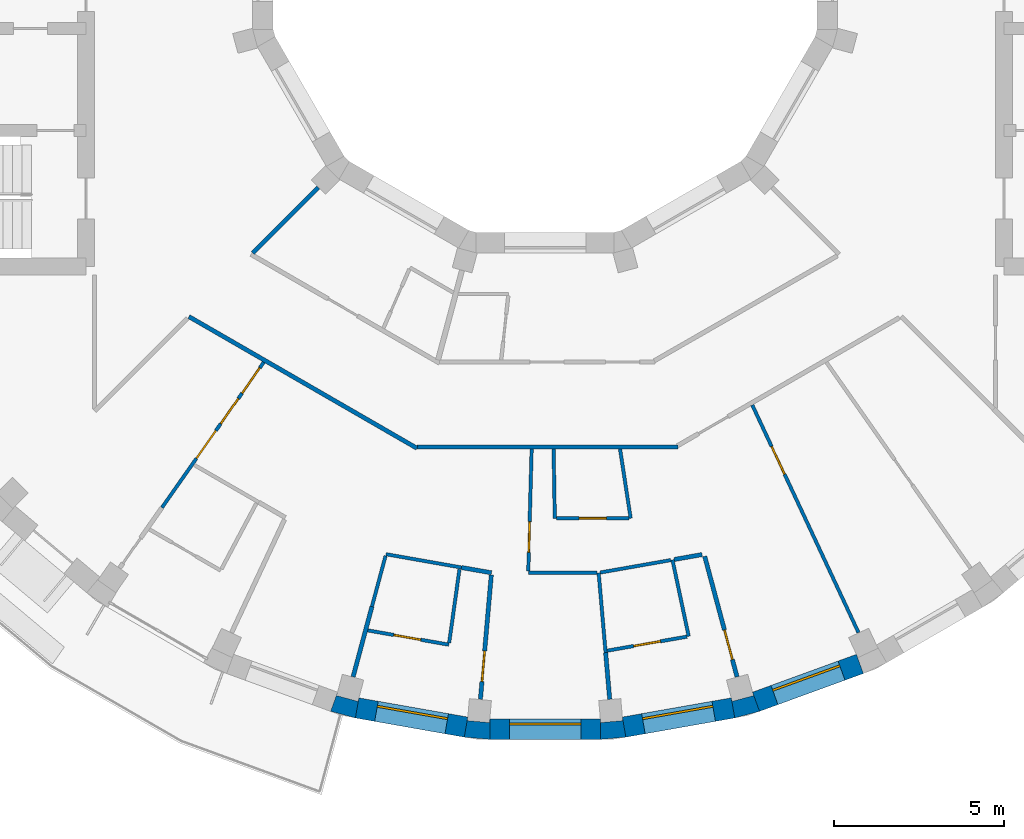
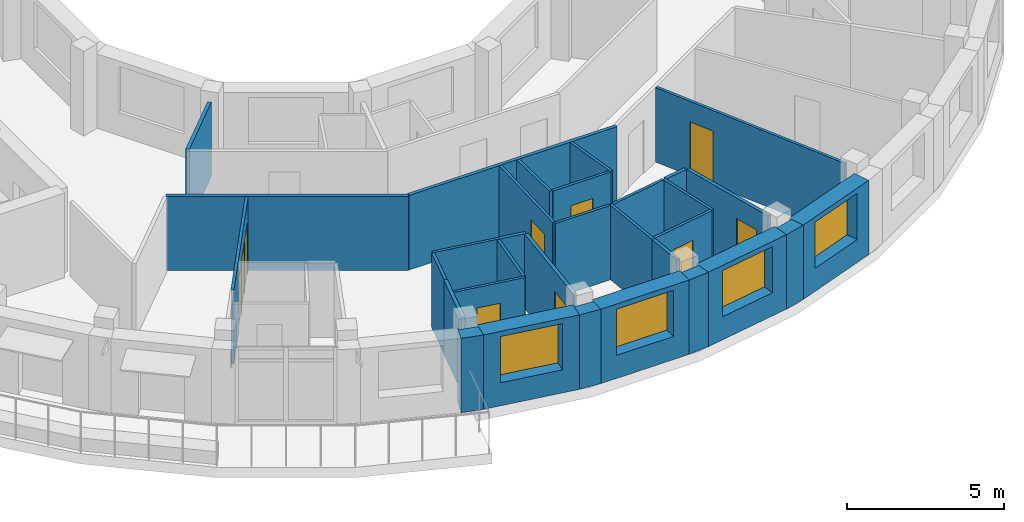
# One storey, part 4 of 12: 32 walls, 10 doors, 4 windows, 14 openings.
"""IFC4 building model written with IfcOpenShell, lengths in metres."""

from ifc_helpers import new_model, si_unit, direction, frame, frame_2d, origin, place, context, subcontext, project, spatial, polyline, rectangle, outline, extrude, material, layer, layer_set, type_object, element, fill, save


model = new_model("IFC4")

# Units and contexts
model_context = context("Model", 3, precision=1e-05, world=origin(), true_north=direction((0.0, 1.0)))
body_context = subcontext(model_context, "Body", "Model", "MODEL_VIEW")
ifc_project = project(units=[si_unit("LENGTHUNIT", "METRE"), si_unit("AREAUNIT", "SQUARE_METRE"), si_unit("VOLUMEUNIT", "CUBIC_METRE"), si_unit("PLANEANGLEUNIT", "RADIAN"), si_unit("MASSUNIT", "GRAM", prefix="KILO")], contexts=[model_context])

# Site, building, storey
site_placement = place(None, origin())
site = spatial("IfcSite", under=ifc_project, at=site_placement, CompositionType="ELEMENT")
building_placement = place(site_placement, origin())
building = spatial("IfcBuilding", under=site, at=building_placement, Name="Saqina Gate Tower", CompositionType="ELEMENT")
storey_placement = place(building_placement, frame((0.0, 0.0, 262.699951171875)))
storey = spatial("IfcBuildingStorey", under=building, at=storey_placement, Name="L75", CompositionType="ELEMENT", Elevation=262.699951171875)

# Walls
ifc_material_1 = material(Name="Brick masonry (buff)", Category="masonry")
wall_type_1 = type_object("IfcWallType", Name="BRICK PIER COPING BUFF", PredefinedType="SOLIDWALL", material=ifc_material_1)
wall_1_placement = place(storey_placement, origin())
element("IfcWall", 1, at=wall_1_placement, inside=storey, type_object=wall_type_1, Name="Pier cap L75 column 26", PredefinedType="SOLIDWALL", context=body_context, shape_type="SweptSolid", body=[
    extrude(outline(polyline([(-5.579833984375, -22.281982421875), (-5.4755859375, -21.691162109375), (-5.5029296875, -21.793212890625), (-6.130859375, -21.625), (-6.103515625, -21.52294921875), (-6.30859375, -22.0869140625), (-5.579833984375, -22.281982421875)])), origin(), (0.0, 0.0, 1.0), 2.900146484375),
])
wall_2_placement = place(storey_placement, origin())
element("IfcWall", 2, at=wall_2_placement, inside=storey, type_object=wall_type_1, Name="Pier cap L75 column 27", PredefinedType="SOLIDWALL", context=body_context, shape_type="SweptSolid", body=[
    extrude(outline(polyline([(-2.377685546875, -22.8466796875), (-1.625732421875, -22.91259765625), (-1.625732421875, -22.3125), (-1.635009765625, -22.417724609375), (-2.28271484375, -22.361083984375), (-2.2734375, -22.255859375), (-2.377685546875, -22.8466796875)])), origin(), (0.0, 0.0, 1.0), 2.900146484375),
])
wall_3_placement = place(storey_placement, origin())
element("IfcWall", 3, at=wall_3_placement, inside=storey, type_object=wall_type_1, Name="Pier cap L75 column 28", PredefinedType="SOLIDWALL", context=body_context, shape_type="SweptSolid", body=[
    extrude(outline(polyline([(1.625732421875, -22.91259765625), (2.377685546875, -22.8466796875), (2.2734375, -22.255859375), (2.28271484375, -22.361083984375), (1.635009765625, -22.417724609375), (1.625732421875, -22.3125), (1.625732421875, -22.91259765625)])), origin(), (0.0, 0.0, 1.0), 2.900146484375),
])
wall_4_placement = place(storey_placement, origin())
element("IfcWall", 4, at=wall_4_placement, inside=storey, type_object=wall_type_1, Name="Pier cap L75 column 29", PredefinedType="SOLIDWALL", context=body_context, shape_type="SweptSolid", body=[
    extrude(outline(polyline([(6.30859375, -22.0869140625), (6.103515625, -21.52294921875), (6.130859375, -21.625), (5.5029296875, -21.793212890625), (5.4755859375, -21.691162109375), (5.579833984375, -22.281982421875), (6.30859375, -22.0869140625)])), origin(), (0.0, 0.0, 1.0), 2.900146484375),
])

# Wall, opening, window
ifc_material_2 = material(Name="Brick masonry (buff)", Category="masonry")
ifc_layer_1 = layer(ifc_material_2, 0.60009765625)
ifc_layer_set_1 = layer_set([ifc_layer_1], Name="FW-BRICK-BUFF")
wall_type_2 = type_object("IfcWallType", Name="FW-BRICK-BUFF", PredefinedType="SOLIDWALL", material=ifc_layer_set_1)
wall_5_placement = place(storey_placement, frame((-5.52783203125, -21.986572265625, 0.0), z_axis=(0.0, 0.0, 1.0), x_axis=(0.984806225186, -0.173656842178, 0.0)))
wall_5 = element("IfcWall", 5, at=wall_5_placement, inside=storey, type_object=wall_type_2, Name="Facade wall L75 facet 26", PredefinedType="SOLIDWALL", context=body_context, shape_type="SweptSolid", body=[
    extrude(rectangle(XDim=3.251708984375, YDim=0.60009765625, at=frame_2d((1.6259765625, 0.0))), origin(), (0.0, 0.0, 1.0), 2.900146484375),
])
opening_1_placement = place(wall_5_placement, frame((0.57568359375, 0.0, 0.89990234375)))
opening_1 = element("IfcOpeningElement", 6, at=opening_1_placement, cuts=wall_5, Name="Opening G22-W15", PredefinedType="OPENING", context=body_context, shape_type="SweptSolid", body=[
    extrude(rectangle(XDim=2.10009765625, YDim=1.800048828125, at=frame_2d((1.050048828125, 0.89990234375))), frame((0.0, 0.31201171875, 0.0), z_axis=(0.0, -1.0, 0.0), x_axis=(1.0, 0.0, 0.0)), (0.0, 0.0, 1.0), 0.6240234375),
])
ifc_material_3 = material(Name="Aluminium glazing", Category="aluminium")
window_type = type_object("IfcWindowType", Name="WN-D", PartitioningType="SINGLE_PANEL", PredefinedType="WINDOW", material=ifc_material_3)
window_1_placement = place(opening_1_placement, origin())
window_1 = element("IfcWindow", 7, at=window_1_placement, inside=storey, type_object=window_type, Name="Window L75 facet 26", OverallHeight=1.800048828125, OverallWidth=2.10009765625, PartitioningType="SINGLE_PANEL", PredefinedType="WINDOW", context=body_context, shape_type="SweptSolid", body=[
    extrude(rectangle(XDim=2.10009765625, YDim=1.800048828125, at=frame_2d((1.050048828125, 0.89990234375))), frame((0.0, 0.179931640625, 0.0), z_axis=(0.0, -1.0, 0.0), x_axis=(1.0, 0.0, 0.0)), (0.0, 0.0, 1.0), 0.06005859375),
])
fill(opening_1, window_1)

wall_6_placement = place(storey_placement, frame((-1.625732421875, -22.612548828125, 0.0), z_axis=(0.0, 0.0, 1.0), x_axis=(1.0, 0.0, 0.0)))
wall_6 = element("IfcWall", 8, at=wall_6_placement, inside=storey, type_object=wall_type_2, Name="Facade wall L75 facet 27", PredefinedType="SOLIDWALL", context=body_context, shape_type="SweptSolid", body=[
    extrude(rectangle(XDim=3.25146484375, YDim=0.60009765625, at=frame_2d((1.625732421875, 0.0))), origin(), (0.0, 0.0, 1.0), 2.900146484375),
])
opening_2_placement = place(wall_6_placement, frame((0.57568359375, 0.0, 0.89990234375)))
opening_2 = element("IfcOpeningElement", 9, at=opening_2_placement, cuts=wall_6, Name="Opening G22-W16", PredefinedType="OPENING", context=body_context, shape_type="SweptSolid", body=[
    extrude(rectangle(XDim=2.10009765625, YDim=1.800048828125, at=frame_2d((1.050048828125, 0.89990234375))), frame((0.0, 0.31201171875, 0.0), z_axis=(0.0, -1.0, 0.0), x_axis=(1.0, 0.0, 0.0)), (0.0, 0.0, 1.0), 0.6240234375),
])
window_2_placement = place(opening_2_placement, origin())
window_2 = element("IfcWindow", 10, at=window_2_placement, inside=storey, type_object=window_type, Name="Window L75 facet 27", OverallHeight=1.800048828125, OverallWidth=2.10009765625, PartitioningType="SINGLE_PANEL", PredefinedType="WINDOW", context=body_context, shape_type="SweptSolid", body=[
    extrude(rectangle(XDim=2.10009765625, YDim=1.800048828125, at=frame_2d((1.050048828125, 0.89990234375))), frame((0.0, 0.179931640625, 0.0), z_axis=(0.0, -1.0, 0.0), x_axis=(1.0, 0.0, 0.0)), (0.0, 0.0, 1.0), 0.06005859375),
])
fill(opening_2, window_2)

wall_7_placement = place(storey_placement, frame((2.325439453125, -22.55126953125, 0.0), z_axis=(0.0, 0.0, 1.0), x_axis=(0.984806225186, 0.173656842178, 0.0)))
wall_7 = element("IfcWall", 11, at=wall_7_placement, inside=storey, type_object=wall_type_2, Name="Facade wall L75 facet 28", PredefinedType="SOLIDWALL", context=body_context, shape_type="SweptSolid", body=[
    extrude(rectangle(XDim=3.251708984375, YDim=0.60009765625, at=frame_2d((1.6259765625, 0.0))), origin(), (0.0, 0.0, 1.0), 2.900146484375),
])
opening_3_placement = place(wall_7_placement, frame((0.57568359375, 0.0, 0.89990234375)))
opening_3 = element("IfcOpeningElement", 12, at=opening_3_placement, cuts=wall_7, Name="Opening G22-W17", PredefinedType="OPENING", context=body_context, shape_type="SweptSolid", body=[
    extrude(rectangle(XDim=2.10009765625, YDim=1.800048828125, at=frame_2d((1.050048828125, 0.89990234375))), frame((0.0, 0.31201171875, 0.0), z_axis=(0.0, -1.0, 0.0), x_axis=(1.0, 0.0, 0.0)), (0.0, 0.0, 1.0), 0.6240234375),
])
window_3_placement = place(opening_3_placement, origin())
window_3 = element("IfcWindow", 13, at=window_3_placement, inside=storey, type_object=window_type, Name="Window L75 facet 28", OverallHeight=1.800048828125, OverallWidth=2.10009765625, PartitioningType="SINGLE_PANEL", PredefinedType="WINDOW", context=body_context, shape_type="SweptSolid", body=[
    extrude(rectangle(XDim=2.10009765625, YDim=1.800048828125, at=frame_2d((1.050048828125, 0.89990234375))), frame((0.0, 0.179931640625, 0.0), z_axis=(0.0, -1.0, 0.0), x_axis=(1.0, 0.0, 0.0)), (0.0, 0.0, 1.0), 0.06005859375),
])
fill(opening_3, window_3)

wall_8_placement = place(storey_placement, frame((6.2060546875, -21.804931640625, 0.0), z_axis=(0.0, 0.0, 1.0), x_axis=(0.939679383794, 0.342056509473, 0.0)))
wall_8 = element("IfcWall", 14, at=wall_8_placement, inside=storey, type_object=wall_type_2, Name="Facade wall L75 facet 29", PredefinedType="SOLIDWALL", context=body_context, shape_type="SweptSolid", body=[
    extrude(rectangle(XDim=3.251708984375, YDim=0.60009765625, at=frame_2d((1.6259765625, 0.0))), origin(), (0.0, 0.0, 1.0), 2.900146484375),
])
opening_4_placement = place(wall_8_placement, frame((0.57568359375, 0.0, 0.89990234375)))
opening_4 = element("IfcOpeningElement", 15, at=opening_4_placement, cuts=wall_8, Name="Opening G22-W18", PredefinedType="OPENING", context=body_context, shape_type="SweptSolid", body=[
    extrude(rectangle(XDim=2.10009765625, YDim=1.800048828125, at=frame_2d((1.050048828125, 0.89990234375))), frame((0.0, 0.31201171875, 0.0), z_axis=(0.0, -1.0, 0.0), x_axis=(1.0, 0.0, 0.0)), (0.0, 0.0, 1.0), 0.6240234375),
])
window_4_placement = place(opening_4_placement, origin())
window_4 = element("IfcWindow", 16, at=window_4_placement, inside=storey, type_object=window_type, Name="Window L75 facet 29", OverallHeight=1.800048828125, OverallWidth=2.10009765625, PartitioningType="SINGLE_PANEL", PredefinedType="WINDOW", context=body_context, shape_type="SweptSolid", body=[
    extrude(rectangle(XDim=2.10009765625, YDim=1.800048828125, at=frame_2d((1.050048828125, 0.89990234375))), frame((0.0, 0.179931640625, 0.0), z_axis=(0.0, -1.0, 0.0), x_axis=(1.0, 0.0, 0.0)), (0.0, 0.0, 1.0), 0.06005859375),
])
fill(opening_4, window_4)

# Walls
ifc_material_4 = material(Name="Gypsum board on steel studs, 100 mm", Category="steel")
ifc_layer_2 = layer(ifc_material_4, 0.10009765625)
ifc_layer_set_2 = layer_set([ifc_layer_2], Name="PARTITION 100")
wall_type_3 = type_object("IfcWallType", Name="PARTITION 100", PredefinedType="PARTITIONING", material=ifc_layer_set_2)
wall_9_placement = place(storey_placement, frame((0.2509765625, -14.37255859375, 0.0), z_axis=(0.0, 0.0, 1.0), x_axis=(0.017133494207, -0.999853210915, 0.0)))
element("IfcWall", 17, at=wall_9_placement, inside=storey, type_object=wall_type_3, Name="PARTITION PW3-01", PredefinedType="PARTITIONING", context=body_context, shape_type="SweptSolid", body=[
    extrude(rectangle(XDim=2.03759765625, YDim=0.10009765625, at=frame_2d((1.018798828125, 0.0))), origin(), (0.0, 0.0, 1.0), 2.900146484375),
])
wall_10_placement = place(storey_placement, frame((1.575927734375, -18.011962890625, 0.0), z_axis=(0.0, 0.0, 1.0), x_axis=(0.087044975162, -0.996204382795, 0.0)))
element("IfcWall", 18, at=wall_10_placement, inside=storey, type_object=wall_type_3, Name="PARTITION PW3-02", PredefinedType="PARTITIONING", context=body_context, shape_type="SweptSolid", body=[
    extrude(rectangle(XDim=2.35888671875, YDim=0.10009765625, at=frame_2d((1.179443359375, 0.0))), origin(), (0.0, 0.0, 1.0), 2.900146484375),
])
wall_11_placement = place(storey_placement, frame((2.20556640625, -14.371826171875, 0.0), z_axis=(0.0, 0.0, 1.0), x_axis=(0.151514148926, -0.988455088851, 0.0)))
element("IfcWall", 19, at=wall_11_placement, inside=storey, type_object=wall_type_3, Name="PARTITION PW3-04", PredefinedType="PARTITIONING", context=body_context, shape_type="SweptSolid", body=[
    extrude(rectangle(XDim=2.060791015625, YDim=0.10009765625, at=frame_2d((1.0302734375, 0.0))), origin(), (0.0, 0.0, 1.0), 2.900146484375),
])
wall_12_placement = place(storey_placement, frame((3.7470703125, -17.6298828125, 0.0), z_axis=(0.0, 0.0, 1.0), x_axis=(0.207710310325, -0.978190383813, 0.0)))
element("IfcWall", 20, at=wall_12_placement, inside=storey, type_object=wall_type_3, Name="PARTITION PW3-05", PredefinedType="PARTITIONING", context=body_context, shape_type="SweptSolid", body=[
    extrude(rectangle(XDim=2.301513671875, YDim=0.10009765625, at=frame_2d((1.15087890625, 0.0))), origin(), (0.0, 0.0, 1.0), 2.900146484375),
])

# Wall, opening, door
wall_13_placement = place(storey_placement, frame((6.094970703125, -13.07666015625, 0.0), z_axis=(0.0, 0.0, 1.0), x_axis=(0.422939739386, -0.906157810124, 0.0)))
wall_13 = element("IfcWall", 21, at=wall_13_placement, inside=storey, type_object=wall_type_3, Name="PARTITION PW3-10", PredefinedType="PARTITIONING", context=body_context, shape_type="SweptSolid", body=[
    extrude(rectangle(XDim=7.3876953125, YDim=0.10009765625, at=frame_2d((3.69384765625, 0.0))), origin(), (0.0, 0.0, 1.0), 2.900146484375),
])
opening_5_placement = place(wall_13_placement, frame((1.344970703125, 0.0, 0.0)))
opening_5 = element("IfcOpeningElement", 22, at=opening_5_placement, cuts=wall_13, Name="Opening G22-D41", PredefinedType="OPENING", context=body_context, shape_type="SweptSolid", body=[
    extrude(rectangle(XDim=0.89990234375, YDim=2.10009765625, at=frame_2d((0.449951171875, 1.050048828125))), frame((0.0, 0.06201171875, 0.0), z_axis=(0.0, -1.0, 0.0), x_axis=(1.0, 0.0, 0.0)), (0.0, 0.0, 1.0), 0.1240234375),
])
ifc_material_5 = material(Name="Timber door leaf, 900 mm", Category="wood")
door_type_1 = type_object("IfcDoorType", Name="DOOR 900 TIMBER", OperationType="SINGLE_SWING_LEFT", PredefinedType="DOOR", material=ifc_material_5)
door_1_placement = place(opening_5_placement, frame((0.89990234375, 0.0, 0.0), z_axis=(0.0, 0.0, 1.0), x_axis=(-1.0, 0.0, 0.0)))
door_1 = element("IfcDoor", 23, at=door_1_placement, inside=storey, type_object=door_type_1, Name="DOOR G22-D41", OperationType="SINGLE_SWING_RIGHT", OverallHeight=2.10009765625, OverallWidth=0.89990234375, PredefinedType="DOOR", context=body_context, shape_type="SweptSolid", body=[
    extrude(rectangle(XDim=0.89990234375, YDim=2.10009765625, at=frame_2d((0.449951171875, 1.050048828125))), frame((0.0, 0.02490234375, 0.0), z_axis=(0.0, -1.0, 0.0), x_axis=(1.0, 0.0, 0.0)), (0.0, 0.0, 1.0), 0.050048828125),
])
fill(opening_5, door_1)

wall_14_placement = place(storey_placement, frame((-5.21533203125, -19.705810546875, 0.0), z_axis=(0.0, 0.0, 1.0), x_axis=(0.984780515727, -0.173802577208, 0.0)))
wall_14 = element("IfcWall", 24, at=wall_14_placement, inside=storey, type_object=wall_type_3, Name="PARTITION PW3-23", PredefinedType="PARTITIONING", context=body_context, shape_type="SweptSolid", body=[
    extrude(rectangle(XDim=2.423095703125, YDim=0.10009765625, at=frame_2d((1.21142578125, 0.0))), origin(), (0.0, 0.0, 1.0), 2.900146484375),
])
opening_6_placement = place(wall_14_placement, frame((0.780517578125, 0.0, 0.0)))
opening_6 = element("IfcOpeningElement", 25, at=opening_6_placement, cuts=wall_14, Name="Opening G22-D31", PredefinedType="OPENING", context=body_context, shape_type="SweptSolid", body=[
    extrude(rectangle(XDim=0.800048828125, YDim=2.10009765625, at=frame_2d((0.39990234375, 1.050048828125))), frame((0.0, 0.06201171875, 0.0), z_axis=(0.0, -1.0, 0.0), x_axis=(1.0, 0.0, 0.0)), (0.0, 0.0, 1.0), 0.1240234375),
])
ifc_material_6 = material(Name="Timber door leaf, 800 mm", Category="wood")
door_type_2 = type_object("IfcDoorType", Name="DOOR 800 TIMBER", OperationType="SINGLE_SWING_LEFT", PredefinedType="DOOR", material=ifc_material_6)
door_2_placement = place(opening_6_placement, frame((0.800048828125, 0.0, 0.0), z_axis=(0.0, 0.0, 1.0), x_axis=(-1.0, 0.0, 0.0)))
door_2 = element("IfcDoor", 26, at=door_2_placement, inside=storey, type_object=door_type_2, Name="DOOR G22-D31", OperationType="SINGLE_SWING_RIGHT", OverallHeight=2.10009765625, OverallWidth=0.800048828125, PredefinedType="DOOR", context=body_context, shape_type="SweptSolid", body=[
    extrude(rectangle(XDim=0.800048828125, YDim=2.10009765625, at=frame_2d((0.39990234375, 1.050048828125))), frame((0.0, 0.02490234375, 0.0), z_axis=(0.0, -1.0, 0.0), x_axis=(1.0, 0.0, 0.0)), (0.0, 0.0, 1.0), 0.050048828125),
])
fill(opening_6, door_2)

# Walls
wall_15_placement = place(storey_placement, frame((-4.678955078125, -17.465087890625, 0.0), z_axis=(0.0, 0.0, 1.0), x_axis=(0.984785740028, -0.173772973268, 0.0)))
element("IfcWall", 27, at=wall_15_placement, inside=storey, type_object=wall_type_3, Name="PARTITION PW3-24", PredefinedType="PARTITIONING", context=body_context, shape_type="SweptSolid", body=[
    extrude(rectangle(XDim=2.25341796875, YDim=0.10009765625, at=frame_2d((1.126708984375, 0.0))), origin(), (0.0, 0.0, 1.0), 2.900146484375),
])
wall_16_placement = place(storey_placement, frame((-0.492919921875, -18.011962890625, 0.0), z_axis=(0.0, 0.0, 1.0), x_axis=(1.0, 0.0, 0.0)))
element("IfcWall", 28, at=wall_16_placement, inside=storey, type_object=wall_type_3, Name="PARTITION PW3-26", PredefinedType="PARTITIONING", context=body_context, shape_type="SweptSolid", body=[
    extrude(rectangle(XDim=2.017822265625, YDim=0.10009765625, at=frame_2d((1.0087890625, 0.0))), origin(), (0.0, 0.0, 1.0), 2.900146484375),
])

# Wall, opening, door
wall_17_placement = place(storey_placement, frame((0.337890625, -16.409912109375, 0.0), z_axis=(0.0, 0.0, 1.0), x_axis=(1.0, 0.0, 0.0)))
wall_17 = element("IfcWall", 29, at=wall_17_placement, inside=storey, type_object=wall_type_3, Name="PARTITION PW3-27", PredefinedType="PARTITIONING", context=body_context, shape_type="SweptSolid", body=[
    extrude(rectangle(XDim=2.128173828125, YDim=0.10009765625, at=frame_2d((1.06396484375, 0.0))), origin(), (0.0, 0.0, 1.0), 2.900146484375),
])
opening_7_placement = place(wall_17_placement, frame((0.6640625, 0.0, 0.0)))
opening_7 = element("IfcOpeningElement", 30, at=opening_7_placement, cuts=wall_17, Name="Opening G22-D36", PredefinedType="OPENING", context=body_context, shape_type="SweptSolid", body=[
    extrude(rectangle(XDim=0.800048828125, YDim=2.10009765625, at=frame_2d((0.39990234375, 1.050048828125))), frame((0.0, 0.06201171875, 0.0), z_axis=(0.0, -1.0, 0.0), x_axis=(1.0, 0.0, 0.0)), (0.0, 0.0, 1.0), 0.1240234375),
])
door_3_placement = place(opening_7_placement, frame((0.800048828125, 0.0, 0.0), z_axis=(0.0, 0.0, 1.0), x_axis=(-1.0, 0.0, 0.0)))
door_3 = element("IfcDoor", 31, at=door_3_placement, inside=storey, type_object=door_type_2, Name="DOOR G22-D36", OperationType="SINGLE_SWING_RIGHT", OverallHeight=2.10009765625, OverallWidth=0.800048828125, PredefinedType="DOOR", context=body_context, shape_type="SweptSolid", body=[
    extrude(rectangle(XDim=0.800048828125, YDim=2.10009765625, at=frame_2d((0.39990234375, 1.050048828125))), frame((0.0, 0.02490234375, 0.0), z_axis=(0.0, -1.0, 0.0), x_axis=(1.0, 0.0, 0.0)), (0.0, 0.0, 1.0), 0.050048828125),
])
fill(opening_7, door_3)

wall_18_placement = place(storey_placement, frame((1.826416015625, -20.30322265625, 0.0), z_axis=(0.0, 0.0, 1.0), x_axis=(0.984856623516, 0.173370790838, 0.0)))
wall_18 = element("IfcWall", 32, at=wall_18_placement, inside=storey, type_object=wall_type_3, Name="PARTITION PW3-31", PredefinedType="PARTITIONING", context=body_context, shape_type="SweptSolid", body=[
    extrude(rectangle(XDim=2.385498046875, YDim=0.10009765625, at=frame_2d((1.19287109375, 0.0))), origin(), (0.0, 0.0, 1.0), 2.900146484375),
])
opening_8_placement = place(wall_18_placement, frame((0.792724609375, 0.0, 0.0)))
opening_8 = element("IfcOpeningElement", 33, at=opening_8_placement, cuts=wall_18, Name="Opening G22-D37", PredefinedType="OPENING", context=body_context, shape_type="SweptSolid", body=[
    extrude(rectangle(XDim=0.800048828125, YDim=2.10009765625, at=frame_2d((0.39990234375, 1.050048828125))), frame((0.0, 0.06201171875, 0.0), z_axis=(0.0, -1.0, 0.0), x_axis=(1.0, 0.0, 0.0)), (0.0, 0.0, 1.0), 0.1240234375),
])
door_4_placement = place(opening_8_placement, frame((0.800048828125, 0.0, 0.0), z_axis=(0.0, 0.0, 1.0), x_axis=(-1.0, 0.0, 0.0)))
door_4 = element("IfcDoor", 34, at=door_4_placement, inside=storey, type_object=door_type_2, Name="DOOR G22-D37", OperationType="SINGLE_SWING_LEFT", OverallHeight=2.10009765625, OverallWidth=0.800048828125, PredefinedType="DOOR", context=body_context, shape_type="SweptSolid", body=[
    extrude(rectangle(XDim=0.800048828125, YDim=2.10009765625, at=frame_2d((0.39990234375, 1.050048828125))), frame((0.0, 0.02490234375, 0.0), z_axis=(0.0, -1.0, 0.0), x_axis=(1.0, 0.0, 0.0)), (0.0, 0.0, 1.0), 0.050048828125),
])
fill(opening_8, door_4)

# Wall
wall_19_placement = place(storey_placement, frame((1.625244140625, -18.00341796875, 0.0), z_axis=(0.0, 0.0, 1.0), x_axis=(0.984864041574, 0.173328646261, 0.0)))
element("IfcWall", 35, at=wall_19_placement, inside=storey, type_object=wall_type_3, Name="PARTITION PW3-32", PredefinedType="PARTITIONING", context=body_context, shape_type="SweptSolid", body=[
    extrude(rectangle(XDim=2.104248046875, YDim=0.10009765625, at=frame_2d((1.05224609375, 0.0))), origin(), (0.0, 0.0, 1.0), 2.900146484375),
])

# Wall, openings, doors
wall_20_placement = place(storey_placement, frame((-11.26904296875, -16.09423828125, 0.0), z_axis=(0.0, 0.0, 1.0), x_axis=(0.573597334784, 0.819137410651, 0.0)))
wall_20 = element("IfcWall", 36, at=wall_20_placement, inside=storey, type_object=wall_type_3, Name="PARTITION PW3-39", PredefinedType="PARTITIONING", context=body_context, shape_type="SweptSolid", body=[
    extrude(rectangle(XDim=5.218994140625, YDim=0.10009765625, at=frame_2d((2.609375, 0.0))), origin(), (0.0, 0.0, 1.0), 2.900146484375),
])
opening_9_placement = place(wall_20_placement, frame((4.1142578125, 0.0, 0.0)))
opening_9 = element("IfcOpeningElement", 37, at=opening_9_placement, cuts=wall_20, Name="Opening G22-D24", PredefinedType="OPENING", context=body_context, shape_type="SweptSolid", body=[
    extrude(rectangle(XDim=0.89990234375, YDim=2.10009765625, at=frame_2d((0.449951171875, 1.050048828125))), frame((0.0, 0.06201171875, 0.0), z_axis=(0.0, -1.0, 0.0), x_axis=(1.0, 0.0, 0.0)), (0.0, 0.0, 1.0), 0.1240234375),
])
opening_10_placement = place(wall_20_placement, frame((3.01416015625, 0.0, 0.0)))
opening_10 = element("IfcOpeningElement", 38, at=opening_10_placement, cuts=wall_20, Name="Opening G22-D25", PredefinedType="OPENING", context=body_context, shape_type="SweptSolid", body=[
    extrude(rectangle(XDim=0.89990234375, YDim=2.10009765625, at=frame_2d((0.449951171875, 1.050048828125))), frame((0.0, 0.06201171875, 0.0), z_axis=(0.0, -1.0, 0.0), x_axis=(1.0, 0.0, 0.0)), (0.0, 0.0, 1.0), 0.1240234375),
])
opening_11_placement = place(wall_20_placement, frame((1.76416015625, 0.0, 0.0)))
opening_11 = element("IfcOpeningElement", 39, at=opening_11_placement, cuts=wall_20, Name="Opening G22-D26", PredefinedType="OPENING", context=body_context, shape_type="SweptSolid", body=[
    extrude(rectangle(XDim=1.0, YDim=2.10009765625, at=frame_2d((0.5, 1.050048828125))), frame((0.0, 0.06201171875, 0.0), z_axis=(0.0, -1.0, 0.0), x_axis=(1.0, 0.0, 0.0)), (0.0, 0.0, 1.0), 0.1240234375),
])
ifc_material_7 = material(Name="Timber door leaf, 1000 mm", Category="wood")
door_type_3 = type_object("IfcDoorType", Name="DOOR 1000 TIMBER", OperationType="SINGLE_SWING_LEFT", PredefinedType="DOOR", material=ifc_material_7)
door_5_placement = place(opening_11_placement, frame((1.0, 0.0, 0.0), z_axis=(0.0, 0.0, 1.0), x_axis=(-1.0, 0.0, 0.0)))
door_5 = element("IfcDoor", 40, at=door_5_placement, inside=storey, type_object=door_type_3, Name="DOOR G22-D26", OperationType="SINGLE_SWING_RIGHT", OverallHeight=2.10009765625, OverallWidth=1.0, PredefinedType="DOOR", context=body_context, shape_type="SweptSolid", body=[
    extrude(rectangle(XDim=1.0, YDim=2.10009765625, at=frame_2d((0.5, 1.050048828125))), frame((0.0, 0.02490234375, 0.0), z_axis=(0.0, -1.0, 0.0), x_axis=(1.0, 0.0, 0.0)), (0.0, 0.0, 1.0), 0.050048828125),
])
fill(opening_11, door_5)
door_6_placement = place(opening_9_placement, frame((0.89990234375, 0.0, 0.0), z_axis=(0.0, 0.0, 1.0), x_axis=(-1.0, 0.0, 0.0)))
door_6 = element("IfcDoor", 41, at=door_6_placement, inside=storey, type_object=door_type_1, Name="DOOR G22-D24", OperationType="SINGLE_SWING_LEFT", OverallHeight=2.10009765625, OverallWidth=0.89990234375, PredefinedType="DOOR", context=body_context, shape_type="SweptSolid", body=[
    extrude(rectangle(XDim=0.89990234375, YDim=2.10009765625, at=frame_2d((0.449951171875, 1.050048828125))), frame((0.0, 0.02490234375, 0.0), z_axis=(0.0, -1.0, 0.0), x_axis=(1.0, 0.0, 0.0)), (0.0, 0.0, 1.0), 0.050048828125),
])
fill(opening_9, door_6)
door_7_placement = place(opening_10_placement, frame((0.89990234375, 0.0, 0.0), z_axis=(0.0, 0.0, 1.0), x_axis=(-1.0, 0.0, 0.0)))
door_7 = element("IfcDoor", 42, at=door_7_placement, inside=storey, type_object=door_type_1, Name="DOOR G22-D25", OperationType="SINGLE_SWING_LEFT", OverallHeight=2.10009765625, OverallWidth=0.89990234375, PredefinedType="DOOR", context=body_context, shape_type="SweptSolid", body=[
    extrude(rectangle(XDim=0.89990234375, YDim=2.10009765625, at=frame_2d((0.449951171875, 1.050048828125))), frame((0.0, 0.02490234375, 0.0), z_axis=(0.0, -1.0, 0.0), x_axis=(1.0, 0.0, 0.0)), (0.0, 0.0, 1.0), 0.050048828125),
])
fill(opening_10, door_7)

# Walls
wall_21_placement = place(storey_placement, frame((-5.093017578125, -19.00732421875, 0.0), z_axis=(0.0, 0.0, 1.0), x_axis=(0.259175252444, 0.965830310417, 0.0)))
element("IfcWall", 43, at=wall_21_placement, inside=storey, type_object=wall_type_3, Name="PARTITION PW3-49", PredefinedType="PARTITIONING", context=body_context, shape_type="SweptSolid", body=[
    extrude(rectangle(XDim=1.546630859375, YDim=0.10009765625, at=frame_2d((0.7734375, 0.0))), origin(), (0.0, 0.0, 1.0), 2.900146484375),
])
wall_22_placement = place(storey_placement, frame((-2.822021484375, -20.077392578125, 0.0), z_axis=(0.0, 0.0, 1.0), x_axis=(0.139000144369, 0.990292360803, 0.0)))
element("IfcWall", 44, at=wall_22_placement, inside=storey, type_object=wall_type_3, Name="PARTITION PW3-51", PredefinedType="PARTITIONING", context=body_context, shape_type="SweptSolid", body=[
    extrude(rectangle(XDim=2.1884765625, YDim=0.10009765625, at=frame_2d((1.09423828125, 0.0))), origin(), (0.0, 0.0, 1.0), 2.900146484375),
])

# Wall, opening, door
wall_23_placement = place(storey_placement, frame((-0.49365234375, -17.9609375, 0.0), z_axis=(0.0, 0.0, 1.0), x_axis=(0.027544314619, 0.999620583388, 0.0)))
wall_23 = element("IfcWall", 45, at=wall_23_placement, inside=storey, type_object=wall_type_3, Name="PARTITION PW3-54", PredefinedType="PARTITIONING", context=body_context, shape_type="SweptSolid", body=[
    extrude(rectangle(XDim=3.58984375, YDim=0.10009765625, at=frame_2d((1.794921875, 0.0))), origin(), (0.0, 0.0, 1.0), 2.900146484375),
])
opening_12_placement = place(wall_23_placement, frame((0.55126953125, 0.0, 0.0)))
opening_12 = element("IfcOpeningElement", 46, at=opening_12_placement, cuts=wall_23, Name="Opening G22-D34", PredefinedType="OPENING", context=body_context, shape_type="SweptSolid", body=[
    extrude(rectangle(XDim=0.89990234375, YDim=2.10009765625, at=frame_2d((0.449951171875, 1.050048828125))), frame((0.0, 0.06201171875, 0.0), z_axis=(0.0, -1.0, 0.0), x_axis=(1.0, 0.0, 0.0)), (0.0, 0.0, 1.0), 0.1240234375),
])
door_8_placement = place(opening_12_placement, origin())
door_8 = element("IfcDoor", 47, at=door_8_placement, inside=storey, type_object=door_type_1, Name="DOOR G22-D34", OperationType="SINGLE_SWING_LEFT", OverallHeight=2.10009765625, OverallWidth=0.89990234375, PredefinedType="DOOR", context=body_context, shape_type="SweptSolid", body=[
    extrude(rectangle(XDim=0.89990234375, YDim=2.10009765625, at=frame_2d((0.449951171875, 1.050048828125))), frame((0.0, 0.02490234375, 0.0), z_axis=(0.0, -1.0, 0.0), x_axis=(1.0, 0.0, 0.0)), (0.0, 0.0, 1.0), 0.050048828125),
])
fill(opening_12, door_8)

# Wall
ifc_material_8 = material(Name="Gypsum board on steel studs, 125 mm, fire rated", Category="steel")
ifc_layer_3 = layer(ifc_material_8, 0.125)
ifc_layer_set_3 = layer_set([ifc_layer_3], Name="PARTITION EI 30 125")
wall_type_4 = type_object("IfcWallType", Name="PARTITION EI 30 125", PredefinedType="PARTITIONING", material=ifc_layer_set_3)
wall_24_placement = place(storey_placement, frame((1.781494140625, -20.36181640625, 0.0), z_axis=(0.0, 0.0, 1.0), x_axis=(0.08715814214, -0.996194488169, 0.0)))
element("IfcWall", 48, at=wall_24_placement, inside=storey, type_object=wall_type_4, Name="PARTITION PW1-01", PredefinedType="PARTITIONING", context=body_context, shape_type="SweptSolid", body=[
    extrude(rectangle(XDim=1.375244140625, YDim=0.125, at=frame_2d((0.6875, 0.0))), origin(), (0.0, 0.0, 1.0), 2.900146484375),
])

# Wall, opening, door
wall_25_placement = place(storey_placement, frame((4.69482421875, -17.525634765625, 0.0), z_axis=(0.0, 0.0, 1.0), x_axis=(0.259210267256, -0.965820913705, 0.0)))
wall_25 = element("IfcWall", 49, at=wall_25_placement, inside=storey, type_object=wall_type_4, Name="PARTITION PW1-02", PredefinedType="PARTITIONING", context=body_context, shape_type="SweptSolid", body=[
    extrude(rectangle(XDim=3.67138671875, YDim=0.125, at=frame_2d((1.835693359375, 0.0))), origin(), (0.0, 0.0, 1.0), 2.900146484375),
])
opening_13_placement = place(wall_25_placement, frame((2.24560546875, 0.0, 0.0)))
opening_13 = element("IfcOpeningElement", 50, at=opening_13_placement, cuts=wall_25, Name="Opening G22-D39", PredefinedType="OPENING", context=body_context, shape_type="SweptSolid", body=[
    extrude(rectangle(XDim=0.89990234375, YDim=2.10009765625, at=frame_2d((0.449951171875, 1.050048828125))), frame((0.0, 0.074462890625, 0.0), z_axis=(0.0, -1.0, 0.0), x_axis=(1.0, 0.0, 0.0)), (0.0, 0.0, 1.0), 0.14892578125),
])
ifc_material_9 = material(Name="Fire door leaf EI 30, 900 mm")
door_type_4 = type_object("IfcDoorType", Name="DOOR 900 EI 30", OperationType="SINGLE_SWING_LEFT", PredefinedType="DOOR", material=ifc_material_9)
door_9_placement = place(opening_13_placement, origin())
door_9 = element("IfcDoor", 51, at=door_9_placement, inside=storey, type_object=door_type_4, Name="DOOR G22-D39", OperationType="SINGLE_SWING_RIGHT", OverallHeight=2.10009765625, OverallWidth=0.89990234375, PredefinedType="DOOR", context=body_context, shape_type="SweptSolid", body=[
    extrude(rectangle(XDim=0.89990234375, YDim=2.10009765625, at=frame_2d((0.449951171875, 1.050048828125))), frame((0.0, 0.02490234375, 0.0), z_axis=(0.0, -1.0, 0.0), x_axis=(1.0, 0.0, 0.0)), (0.0, 0.0, 1.0), 0.050048828125),
])
fill(opening_13, door_9)

# Walls
wall_26_placement = place(storey_placement, frame((-10.47607421875, -10.47607421875, 0.0), z_axis=(0.0, 0.0, 1.0), x_axis=(0.866073222863, -0.499917165778, 0.0)))
element("IfcWall", 52, at=wall_26_placement, inside=storey, type_object=wall_type_4, Name="PARTITION PW1-11", PredefinedType="PARTITIONING", context=body_context, shape_type="SweptSolid", body=[
    extrude(rectangle(XDim=7.742431640625, YDim=0.125, at=frame_2d((3.87109375, 0.0))), origin(), (0.0, 0.0, 1.0), 2.900146484375),
])
wall_27_placement = place(storey_placement, frame((-2.459716796875, -17.856689453125, 0.0), z_axis=(0.0, 0.0, 1.0), x_axis=(0.984914749924, -0.173040270981, 0.0)))
element("IfcWall", 53, at=wall_27_placement, inside=storey, type_object=wall_type_4, Name="PARTITION PW1-16", PredefinedType="PARTITIONING", context=body_context, shape_type="SweptSolid", body=[
    extrude(rectangle(XDim=0.897216796875, YDim=0.125, at=frame_2d((0.44873046875, 0.0))), origin(), (0.0, 0.0, 1.0), 2.900146484375),
])
wall_28_placement = place(storey_placement, frame((-3.7705078125, -14.31005859375, 0.0), z_axis=(0.0, 0.0, 1.0), x_axis=(1.0, 0.0, 0.0)))
element("IfcWall", 54, at=wall_28_placement, inside=storey, type_object=wall_type_4, Name="PARTITION PW1-17", PredefinedType="PARTITIONING", context=body_context, shape_type="SweptSolid", body=[
    extrude(rectangle(XDim=7.6767578125, YDim=0.125, at=frame_2d((3.83837890625, 0.0))), origin(), (0.0, 0.0, 1.0), 2.900146484375),
])
wall_29_placement = place(storey_placement, frame((3.796142578125, -17.621337890625, 0.0), z_axis=(0.0, 0.0, 1.0), x_axis=(0.984715706085, 0.174169395101, 0.0)))
element("IfcWall", 55, at=wall_29_placement, inside=storey, type_object=wall_type_4, Name="PARTITION PW1-22", PredefinedType="PARTITIONING", context=body_context, shape_type="SweptSolid", body=[
    extrude(rectangle(XDim=0.833984375, YDim=0.125, at=frame_2d((0.4169921875, 0.0))), origin(), (0.0, 0.0, 1.0), 2.900146484375),
])
wall_30_placement = place(storey_placement, frame((-8.601806640625, -8.601806640625, 0.0), z_axis=(0.0, 0.0, 1.0), x_axis=(0.707106781187, 0.707106781187, 0.0)))
element("IfcWall", 56, at=wall_30_placement, inside=storey, type_object=wall_type_4, Name="PARTITION PW1-31", PredefinedType="PARTITIONING", context=body_context, shape_type="SweptSolid", body=[
    extrude(rectangle(XDim=2.722412109375, YDim=0.125, at=frame_2d((1.361328125, 0.0))), origin(), (0.0, 0.0, 1.0), 2.900146484375),
])
wall_31_placement = place(storey_placement, frame((-5.646728515625, -21.071533203125, 0.0), z_axis=(0.0, 0.0, 1.0), x_axis=(0.259084380683, 0.965854690772, 0.0)))
element("IfcWall", 57, at=wall_31_placement, inside=storey, type_object=wall_type_4, Name="PARTITION PW1-39", PredefinedType="PARTITIONING", context=body_context, shape_type="SweptSolid", body=[
    extrude(rectangle(XDim=2.13720703125, YDim=0.125, at=frame_2d((1.068603515625, 0.0))), origin(), (0.0, 0.0, 1.0), 2.900146484375),
])

# Wall, opening, door
wall_32_placement = place(storey_placement, frame((-1.9013671875, -21.73193359375, 0.0), z_axis=(0.0, 0.0, 1.0), x_axis=(0.087128997152, 0.996197037666, 0.0)))
wall_32 = element("IfcWall", 58, at=wall_32_placement, inside=storey, type_object=wall_type_4, Name="PARTITION PW1-41", PredefinedType="PARTITIONING", context=body_context, shape_type="SweptSolid", body=[
    extrude(rectangle(XDim=3.670654296875, YDim=0.125, at=frame_2d((1.83544921875, 0.0))), origin(), (0.0, 0.0, 1.0), 2.900146484375),
])
opening_14_placement = place(wall_32_placement, frame((0.52490234375, 0.0, 0.0)))
opening_14 = element("IfcOpeningElement", 59, at=opening_14_placement, cuts=wall_32, Name="Opening G22-D33", PredefinedType="OPENING", context=body_context, shape_type="SweptSolid", body=[
    extrude(rectangle(XDim=0.89990234375, YDim=2.10009765625, at=frame_2d((0.449951171875, 1.050048828125))), frame((0.0, 0.074462890625, 0.0), z_axis=(0.0, -1.0, 0.0), x_axis=(1.0, 0.0, 0.0)), (0.0, 0.0, 1.0), 0.14892578125),
])
door_10_placement = place(opening_14_placement, frame((0.89990234375, 0.0, 0.0), z_axis=(0.0, 0.0, 1.0), x_axis=(-1.0, 0.0, 0.0)))
door_10 = element("IfcDoor", 60, at=door_10_placement, inside=storey, type_object=door_type_4, Name="DOOR G22-D33", OperationType="SINGLE_SWING_RIGHT", OverallHeight=2.10009765625, OverallWidth=0.89990234375, PredefinedType="DOOR", context=body_context, shape_type="SweptSolid", body=[
    extrude(rectangle(XDim=0.89990234375, YDim=2.10009765625, at=frame_2d((0.449951171875, 1.050048828125))), frame((0.0, 0.02490234375, 0.0), z_axis=(0.0, -1.0, 0.0), x_axis=(1.0, 0.0, 0.0)), (0.0, 0.0, 1.0), 0.050048828125),
])
fill(opening_14, door_10)

save(model, "model.ifc")
